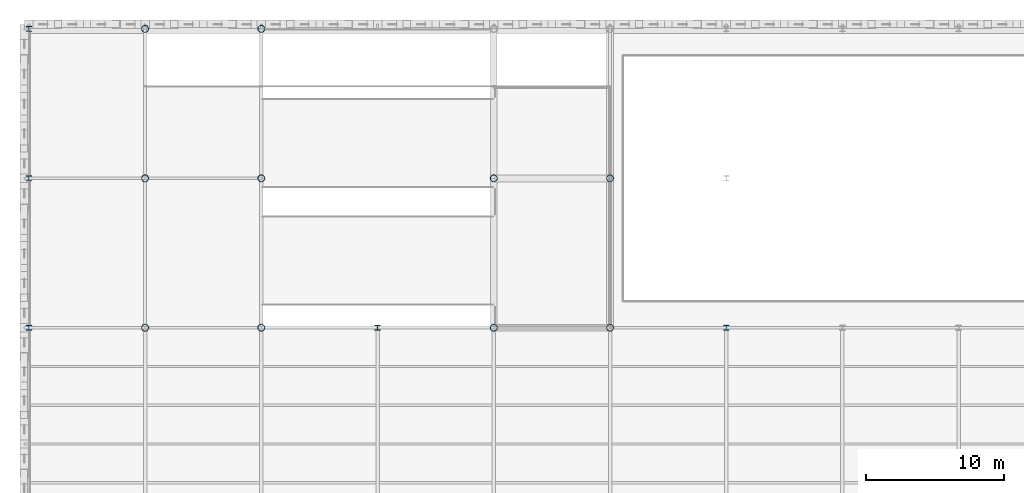
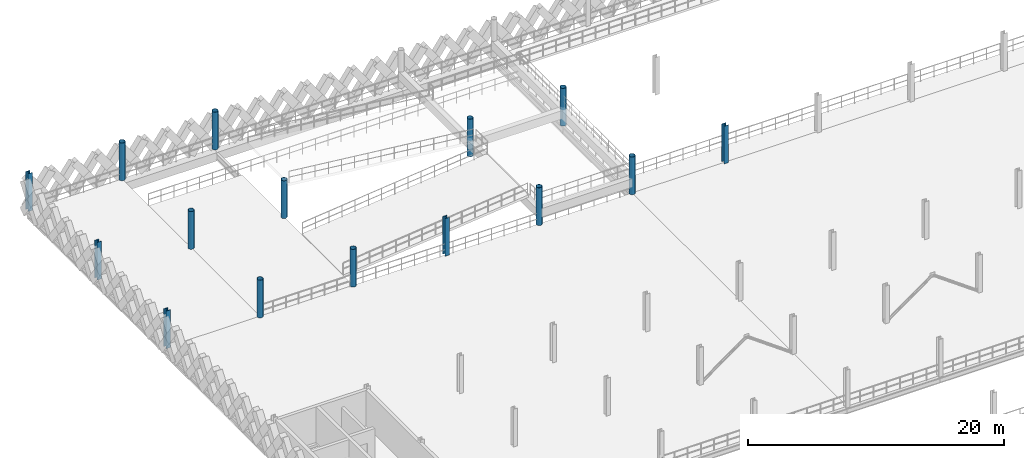
# One storey, part 11 of 79: 15 columns.
"""IFC4 building model written with IfcOpenShell, lengths in metres."""

from ifc_helpers import new_model, si_unit, direction, frame, origin, origin_2d, place, context, subcontext, project, spatial, hollow_circle, i_section, extrude, material, material_profile, profile_set, type_object, element, save


model = new_model("IFC4")

# Units and contexts
model_context = context("Model", 3, precision=1e-05, world=origin(), true_north=direction((0.0, 1.0)))
body_context = subcontext(model_context, "Body", "Model", "MODEL_VIEW")
ifc_project = project(units=[si_unit("LENGTHUNIT", "METRE"), si_unit("AREAUNIT", "SQUARE_METRE"), si_unit("VOLUMEUNIT", "CUBIC_METRE"), si_unit("PLANEANGLEUNIT", "RADIAN"), si_unit("MASSUNIT", "GRAM", prefix="KILO"), si_unit("THERMODYNAMICTEMPERATUREUNIT", "KELVIN"), si_unit("POWERUNIT", "WATT")], contexts=[model_context])

# Site, building, storey
site_placement = place(None, origin())
site = spatial("IfcSite", under=ifc_project, at=site_placement, CompositionType="ELEMENT")
building_placement = place(site_placement, origin())
building = spatial("IfcBuilding", under=site, at=building_placement, Name="Tembeka Court Mobility Hub", CompositionType="ELEMENT")
storey_placement = place(building_placement, frame((0.0, 0.0, 9.0)))
storey = spatial("IfcBuildingStorey", under=building, at=storey_placement, Name="L02", CompositionType="ELEMENT", Elevation=9.0)

# Columns
ifc_material = material(Name="Steel S355", Category="steel")
ifc_material_profile_1 = material_profile(ifc_material, i_section(OverallWidth=0.39501953125, OverallDepth=0.381103515625, WebThickness=0.018310546875, FlangeThickness=0.0302734375, FilletRadius=0.01513671875, at=origin_2d()), Name="UKC 356x406x235")
ifc_profile_set_1 = profile_set([ifc_material_profile_1], Name="Steel S355")
column_type_1 = type_object("IfcColumnType", Name="COL-C02", PredefinedType="COLUMN", material=ifc_profile_set_1)
for number, where, z_axis, x_axis, name in (
    (1, (0.0, 97.199951171875, 0.0), (0.0, 0.0, 1.0), (1.0, 0.0, 0.0), "Column C02 (L02-010)"),
    (2, (0.0, 108.0, 0.0), (0.0, 0.0, 1.0), (1.0, 0.0, 0.0), "Column C02 (L02-011)"),
    (3, (0.0, 118.800048828125, 0.0), (0.0, 0.0, 1.0), (1.0, 0.0, 0.0), "Column C02 (L02-012)"),
    (4, (25.199951171875, 97.199951171875, 0.0), (0.0, 0.0, 1.0), (1.0, 0.0, 0.0), "Column C02 (L02-045)"),
    (5, (50.39990234375, 97.199951171875, 0.0), (0.0, 0.0, 1.0), (1.0, 0.0, 0.0), "Column C02 (L02-080)"),
):
    element("IfcColumn", number, at=place(storey_placement, frame(where, z_axis=z_axis, x_axis=x_axis)), inside=storey, type_object=column_type_1, Name=name, PredefinedType="COLUMN", context=body_context, shape_type="SweptSolid", body=[
        extrude(i_section(OverallWidth=0.39501953125, OverallDepth=0.381103515625, WebThickness=0.018310546875, FlangeThickness=0.0302734375, FilletRadius=0.01513671875, at=origin_2d()), origin(), (0.0, 0.0, 1.0), 3.60009765625),
    ])
ifc_material_profile_2 = material_profile(ifc_material, hollow_circle(Radius=0.25390625, WallThickness=0.01611328125, at=origin_2d()), Name="CHS 508x16")
ifc_profile_set_2 = profile_set([ifc_material_profile_2], Name="Steel S355")
column_type_2 = type_object("IfcColumnType", Name="COL-C08", PredefinedType="COLUMN", material=ifc_profile_set_2)
for number, where, z_axis, x_axis, name in (
    (6, (8.39990234375, 97.199951171875, 0.0), (0.0, 0.0, 1.0), (1.0, 0.0, 0.0), "Column C08 (L02-022)"),
    (7, (8.39990234375, 108.0, 0.0), (0.0, 0.0, 1.0), (1.0, 0.0, 0.0), "Column C08 (L02-023)"),
    (8, (8.39990234375, 118.800048828125, 0.0), (0.0, 0.0, 1.0), (1.0, 0.0, 0.0), "Column C08 (L02-024)"),
    (9, (16.800048828125, 97.199951171875, 0.0), (0.0, 0.0, 1.0), (1.0, 0.0, 0.0), "Column C08 (L02-034)"),
    (10, (16.800048828125, 108.0, 0.0), (0.0, 0.0, 1.0), (1.0, 0.0, 0.0), "Column C08 (L02-035)"),
    (11, (16.800048828125, 118.800048828125, 0.0), (0.0, 0.0, 1.0), (1.0, 0.0, 0.0), "Column C08 (L02-036)"),
    (12, (33.60009765625, 97.199951171875, 0.0), (0.0, 0.0, 1.0), (1.0, 0.0, 0.0), "Column C08 (L02-056)"),
    (13, (33.60009765625, 108.0, 0.0), (0.0, 0.0, 1.0), (1.0, 0.0, 0.0), "Column C08 (L02-057)"),
    (14, (42.0, 97.199951171875, 0.0), (0.0, 0.0, 1.0), (1.0, 0.0, 0.0), "Column C08 (L02-068)"),
    (15, (42.0, 108.0, 0.0), (0.0, 0.0, 1.0), (1.0, 0.0, 0.0), "Column C08 (L02-069)"),
):
    element("IfcColumn", number, at=place(storey_placement, frame(where, z_axis=z_axis, x_axis=x_axis)), inside=storey, type_object=column_type_2, Name=name, PredefinedType="COLUMN", context=body_context, shape_type="SweptSolid", body=[
        extrude(hollow_circle(Radius=0.25390625, WallThickness=0.01611328125, at=origin_2d()), origin(), (0.0, 0.0, 1.0), 3.60009765625),
    ])

save(model, "model.ifc")
